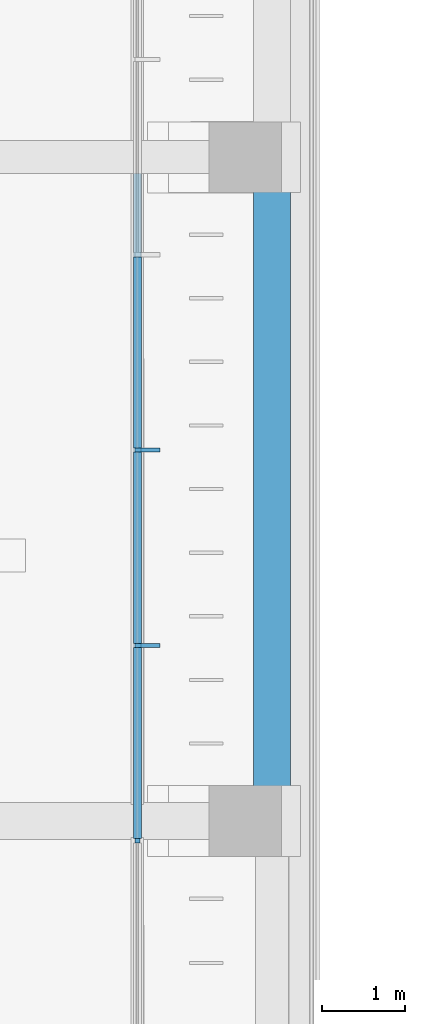
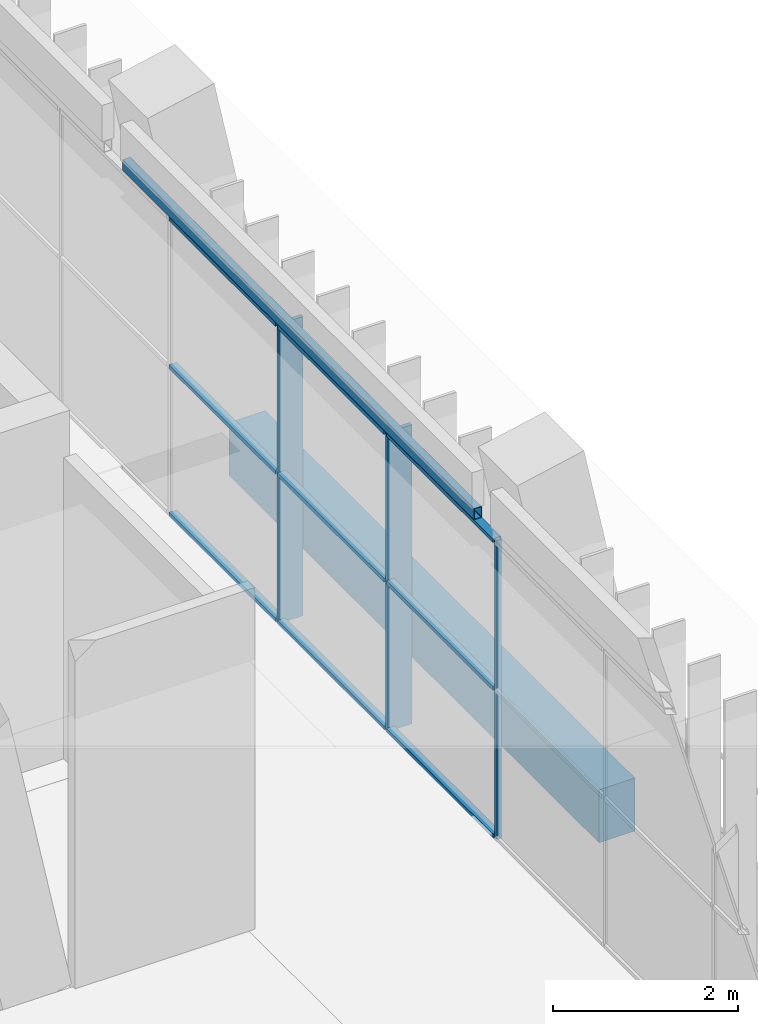
# One storey, part 23 of 92: 12 members, 2 beams, 1 element without a shape of its own.
"""IFC4 building model written with IfcOpenShell, lengths in metres."""

from ifc_helpers import new_model, si_unit, direction, frame, origin, origin_2d, place, context, subcontext, project, spatial, rectangle, hollow_rectangle, extrude, material, material_profile, profile_set, type_object, element, aggregate, save


model = new_model("IFC4")

# Units and contexts
model_context = context("Model", 3, precision=1e-05, world=origin(), true_north=direction((0.0, 1.0)))
body_context = subcontext(model_context, "Body", "Model", "MODEL_VIEW")
ifc_project = project(units=[si_unit("LENGTHUNIT", "METRE"), si_unit("AREAUNIT", "SQUARE_METRE"), si_unit("VOLUMEUNIT", "CUBIC_METRE"), si_unit("PLANEANGLEUNIT", "RADIAN"), si_unit("MASSUNIT", "GRAM", prefix="KILO")], contexts=[model_context])

# Site, building, storey
site_placement = place(None, origin())
site = spatial("IfcSite", under=ifc_project, at=site_placement, CompositionType="ELEMENT")
building_placement = place(site_placement, origin())
building = spatial("IfcBuilding", under=site, at=building_placement, Name="Lantern Court Media Centre", CompositionType="ELEMENT")
storey_placement = place(building_placement, frame((0.0, 0.0, 4.800048828125)))
storey = spatial("IfcBuildingStorey", under=building, at=storey_placement, Name="L01", CompositionType="ELEMENT", Elevation=4.800048828125)

# Curtain wall, members
ifc_material_1 = material(Name="Curtain wall bay 2400")
curtain_wall_type = type_object("IfcCurtainWallType", Name="Curtain wall bay 2400", PredefinedType="NOTDEFINED", material=ifc_material_1)
curtain_wall_placement = place(storey_placement, origin())
curtain_wall = element("IfcCurtainWall", 1, at=curtain_wall_placement, inside=storey, type_object=curtain_wall_type, Name="Curtain wall W inner L01", PredefinedType="NOTDEFINED")
ifc_material_2 = material(Name="Anodised aluminium", Category="aluminium")
ifc_material_profile_1 = material_profile(ifc_material_2, rectangle(XDim=0.300048828125, YDim=0.050048828125, at=origin_2d()), Name="AL 50x300")
ifc_profile_set_1 = profile_set([ifc_material_profile_1], Name="Anodised aluminium")
member_type_1 = type_object("IfcMemberType", Name="Curtain wall mullion 50x300", PredefinedType="MULLION", material=ifc_profile_set_1)
member_1_placement = place(storey_placement, frame((20.969970703125, 74.115478515625, 0.0), z_axis=(0.0, 0.0, 1.0), x_axis=(-1.0, 0.0, 0.0)))
member_1 = element("IfcMember", 2, at=member_1_placement, type_object=member_type_1, Name="CW2 mullion 5", PredefinedType="MULLION", context=body_context, shape_type="SweptSolid", body=[
    extrude(rectangle(XDim=0.300048828125, YDim=0.050048828125, at=origin_2d()), origin(), (0.0, 0.0, 1.0), 3.949951171875),
])
member_2_placement = place(storey_placement, frame((20.969970703125, 76.46923828125, 0.0), z_axis=(0.0, 0.0, 1.0), x_axis=(-1.0, 0.0, 0.0)))
member_2 = element("IfcMember", 3, at=member_2_placement, type_object=member_type_1, Name="CW2 mullion 6", PredefinedType="MULLION", context=body_context, shape_type="SweptSolid", body=[
    extrude(rectangle(XDim=0.300048828125, YDim=0.050048828125, at=origin_2d()), origin(), (0.0, 0.0, 1.0), 3.949951171875),
])
ifc_material_profile_2 = material_profile(ifc_material_2, rectangle(XDim=0.06005859375, YDim=0.050048828125, at=origin_2d()), Name="AL 50x60")
ifc_profile_set_2 = profile_set([ifc_material_profile_2], Name="Anodised aluminium")
member_type_2 = type_object("IfcMemberType", Name="Curtain wall mullion 50x60", PredefinedType="MULLION", material=ifc_profile_set_2)
member_3_placement = place(storey_placement, frame((20.85009765625, 71.761474609375, 0.0), z_axis=(0.0, 0.0, 1.0), x_axis=(-1.0, 0.0, 0.0)))
member_3 = element("IfcMember", 4, at=member_3_placement, type_object=member_type_2, Name="CW2 mullion 4", PredefinedType="MULLION", context=body_context, shape_type="SweptSolid", body=[
    extrude(rectangle(XDim=0.06005859375, YDim=0.050048828125, at=origin_2d()), origin(), (0.0, 0.0, 1.0), 3.949951171875),
])
ifc_material_profile_3 = material_profile(ifc_material_2, rectangle(XDim=0.10009765625, YDim=0.050048828125, at=origin_2d()), Name="AL 50x100")
ifc_profile_set_3 = profile_set([ifc_material_profile_3], Name="Anodised aluminium")
member_type_3 = type_object("IfcMemberType", Name="Curtain wall transom 100x50", PredefinedType="USERDEFINED", material=ifc_profile_set_3)
member_4_placement = place(storey_placement, frame((20.85009765625, 71.78662109375, 0.02490234375), z_axis=(0.0, 1.0, 0.0), x_axis=(-1.0, 0.0, 0.0)))
member_4 = element("IfcMember", 5, at=member_4_placement, type_object=member_type_3, Name="CW2 transom 4.1", ObjectType="TRANSOM", PredefinedType="USERDEFINED", context=body_context, shape_type="SweptSolid", body=[
    extrude(rectangle(XDim=0.10009765625, YDim=0.050048828125, at=origin_2d()), origin(), (0.0, 0.0, 1.0), 2.3037109375),
])
member_5_placement = place(storey_placement, frame((20.85009765625, 71.78662109375, 1.974853515625), z_axis=(0.0, 1.0, 0.0), x_axis=(-1.0, 0.0, 0.0)))
member_5 = element("IfcMember", 6, at=member_5_placement, type_object=member_type_3, Name="CW2 transom 4.2", ObjectType="TRANSOM", PredefinedType="USERDEFINED", context=body_context, shape_type="SweptSolid", body=[
    extrude(rectangle(XDim=0.10009765625, YDim=0.050048828125, at=origin_2d()), origin(), (0.0, 0.0, 1.0), 2.3037109375),
])
member_6_placement = place(storey_placement, frame((20.85009765625, 71.78662109375, 3.925048828125), z_axis=(0.0, 1.0, 0.0), x_axis=(-1.0, 0.0, 0.0)))
member_6 = element("IfcMember", 7, at=member_6_placement, type_object=member_type_3, Name="CW2 transom 4.3", ObjectType="TRANSOM", PredefinedType="USERDEFINED", context=body_context, shape_type="SweptSolid", body=[
    extrude(rectangle(XDim=0.10009765625, YDim=0.050048828125, at=origin_2d()), origin(), (0.0, 0.0, 1.0), 2.3037109375),
])
member_7_placement = place(storey_placement, frame((20.85009765625, 74.140380859375, 0.02490234375), z_axis=(0.0, 1.0, 0.0), x_axis=(-1.0, 0.0, 0.0)))
member_7 = element("IfcMember", 8, at=member_7_placement, type_object=member_type_3, Name="CW2 transom 5.1", ObjectType="TRANSOM", PredefinedType="USERDEFINED", context=body_context, shape_type="SweptSolid", body=[
    extrude(rectangle(XDim=0.10009765625, YDim=0.050048828125, at=origin_2d()), origin(), (0.0, 0.0, 1.0), 2.303955078125),
])
member_8_placement = place(storey_placement, frame((20.85009765625, 74.140380859375, 1.974853515625), z_axis=(0.0, 1.0, 0.0), x_axis=(-1.0, 0.0, 0.0)))
member_8 = element("IfcMember", 9, at=member_8_placement, type_object=member_type_3, Name="CW2 transom 5.2", ObjectType="TRANSOM", PredefinedType="USERDEFINED", context=body_context, shape_type="SweptSolid", body=[
    extrude(rectangle(XDim=0.10009765625, YDim=0.050048828125, at=origin_2d()), origin(), (0.0, 0.0, 1.0), 2.303955078125),
])
member_9_placement = place(storey_placement, frame((20.85009765625, 74.140380859375, 3.925048828125), z_axis=(0.0, 1.0, 0.0), x_axis=(-1.0, 0.0, 0.0)))
member_9 = element("IfcMember", 10, at=member_9_placement, type_object=member_type_3, Name="CW2 transom 5.3", ObjectType="TRANSOM", PredefinedType="USERDEFINED", context=body_context, shape_type="SweptSolid", body=[
    extrude(rectangle(XDim=0.10009765625, YDim=0.050048828125, at=origin_2d()), origin(), (0.0, 0.0, 1.0), 2.303955078125),
])
member_10_placement = place(storey_placement, frame((20.85009765625, 76.494140625, 0.02490234375), z_axis=(0.0, 1.0, 0.0), x_axis=(-1.0, 0.0, 0.0)))
member_10 = element("IfcMember", 11, at=member_10_placement, type_object=member_type_3, Name="CW2 transom 6.1", ObjectType="TRANSOM", PredefinedType="USERDEFINED", context=body_context, shape_type="SweptSolid", body=[
    extrude(rectangle(XDim=0.10009765625, YDim=0.050048828125, at=origin_2d()), origin(), (0.0, 0.0, 1.0), 2.303955078125),
])
member_11_placement = place(storey_placement, frame((20.85009765625, 76.494140625, 1.974853515625), z_axis=(0.0, 1.0, 0.0), x_axis=(-1.0, 0.0, 0.0)))
member_11 = element("IfcMember", 12, at=member_11_placement, type_object=member_type_3, Name="CW2 transom 6.2", ObjectType="TRANSOM", PredefinedType="USERDEFINED", context=body_context, shape_type="SweptSolid", body=[
    extrude(rectangle(XDim=0.10009765625, YDim=0.050048828125, at=origin_2d()), origin(), (0.0, 0.0, 1.0), 2.303955078125),
])
member_12_placement = place(storey_placement, frame((20.85009765625, 76.494140625, 3.925048828125), z_axis=(0.0, 1.0, 0.0), x_axis=(-1.0, 0.0, 0.0)))
member_12 = element("IfcMember", 13, at=member_12_placement, type_object=member_type_3, Name="CW2 transom 6.3", ObjectType="TRANSOM", PredefinedType="USERDEFINED", context=body_context, shape_type="SweptSolid", body=[
    extrude(rectangle(XDim=0.10009765625, YDim=0.050048828125, at=origin_2d()), origin(), (0.0, 0.0, 1.0), 2.303955078125),
])
aggregate(curtain_wall, [member_3, member_1, member_2, member_4, member_5, member_6, member_7, member_8, member_9, member_10, member_11, member_12])

# Beams
ifc_material_3 = material(Name="Steel S355J2 (EN 10025-2)", Category="steel")
ifc_material_profile_4 = material_profile(ifc_material_3, hollow_rectangle(XDim=0.10009765625, YDim=0.14990234375, WallThickness=0.00634765625, InnerFilletRadius=0.00634765625, OuterFilletRadius=0.009521484375, at=origin_2d()), Name="Facade head lintel RHS 150x100x6.3")
ifc_profile_set_4 = profile_set([ifc_material_profile_4], Name="Steel S355J2 (EN 10025-2)")
beam_type_1 = type_object("IfcBeamType", Name="Facade head lintel RHS 150x100x6.3", PredefinedType="BEAM", material=ifc_profile_set_4)
beam_1_placement = place(storey_placement, frame((20.85009765625, 72.199951171875, 4.02490234375), z_axis=(0.0, 1.0, 0.0), x_axis=(-1.0, 0.0, 0.0)))
element("IfcBeam", 14, at=beam_1_placement, inside=storey, type_object=beam_type_1, Name="Facade head lintel W L01", PredefinedType="BEAM", context=body_context, shape_type="SweptSolid", body=[
    extrude(hollow_rectangle(XDim=0.10009765625, YDim=0.14990234375, WallThickness=0.00634765625, InnerFilletRadius=0.00634765625, OuterFilletRadius=0.009521484375, at=origin_2d()), origin(), (0.0, 0.0, 1.0), 7.60009765625),
])
ifc_material_4 = material(Name="Concrete C35", Category="concrete")
ifc_material_profile_5 = material_profile(ifc_material_4, rectangle(XDim=0.449951171875, YDim=0.699951171875, at=origin_2d()), Name="RC 450x700")
ifc_profile_set_5 = profile_set([ifc_material_profile_5], Name="Concrete C35")
beam_type_2 = type_object("IfcBeamType", Name="RC BEAM 450x700", PredefinedType="BEAM", material=ifc_profile_set_5)
beam_2_placement = place(storey_placement, frame((22.472900390625, 72.0, -0.35009765625), z_axis=(0.0, 1.0, 0.0), x_axis=(-1.0, 0.0, 0.0)))
element("IfcBeam", 15, at=beam_2_placement, inside=storey, type_object=beam_type_2, Name="LB-W-L01-2-1", PredefinedType="BEAM", context=body_context, shape_type="SweptSolid", body=[
    extrude(rectangle(XDim=0.449951171875, YDim=0.699951171875, at=origin_2d()), origin(), (0.0, 0.0, 1.0), 8.0),
])

save(model, "model.ifc")
